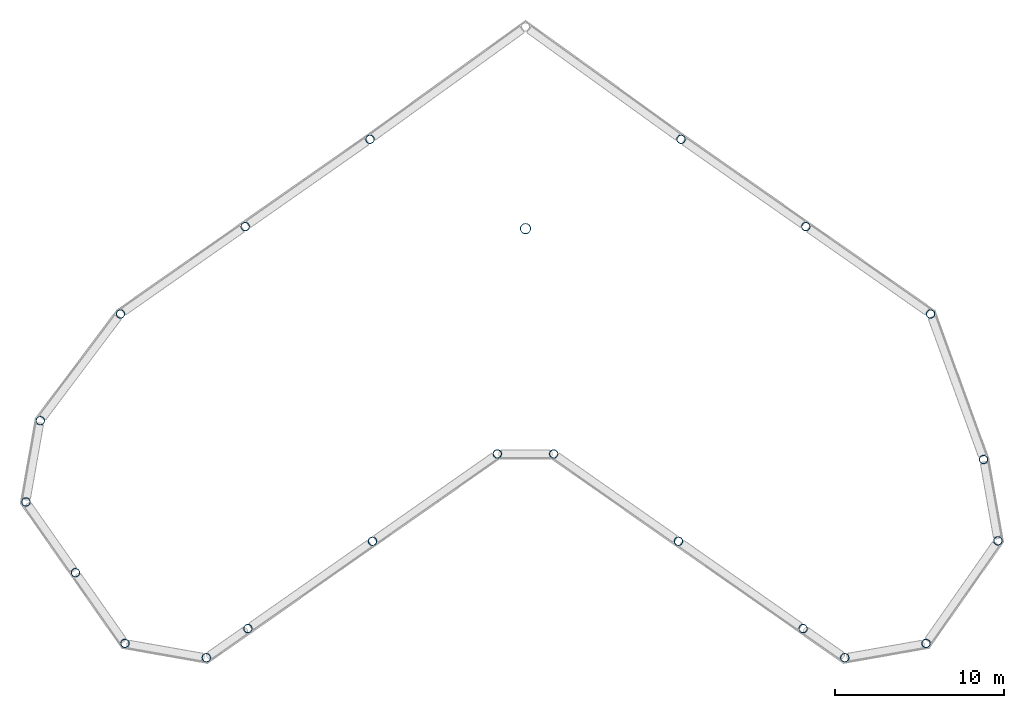
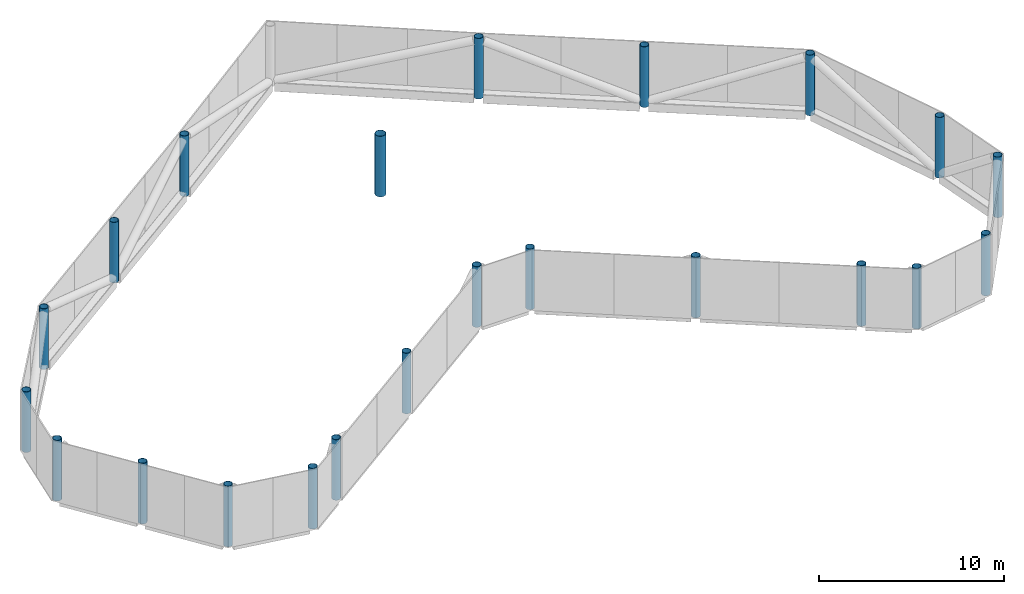
# One storey, part 1 of 4: 22 columns.
"""IFC4 building model written with IfcOpenShell, lengths in metres."""

from ifc_helpers import new_model, si_unit, direction, frame, origin, origin_with_axes, origin_2d, place, context, subcontext, project, spatial, hollow_circle, extrude, material, material_profile, profile_set, type_object, element, save


model = new_model("IFC4")

# Units and contexts
model_context = context("Model", 3, precision=1e-05, world=origin(), true_north=direction((0.0, 1.0)))
body_context = subcontext(model_context, "Body", "Model", "MODEL_VIEW")
ifc_project = project(units=[si_unit("LENGTHUNIT", "METRE"), si_unit("AREAUNIT", "SQUARE_METRE"), si_unit("VOLUMEUNIT", "CUBIC_METRE"), si_unit("PLANEANGLEUNIT", "RADIAN"), si_unit("MASSUNIT", "GRAM", prefix="KILO")], contexts=[model_context])

# Site, building, storey
site_placement = place(None, origin())
site = spatial("IfcSite", under=ifc_project, at=site_placement, CompositionType="ELEMENT")
building_placement = place(site_placement, origin())
building = spatial("IfcBuilding", under=site, at=building_placement, Name="Tel Ilan Convention Tower", CompositionType="ELEMENT")
storey_placement = place(building_placement, frame((0.0, 0.0, 330.800048828125)))
storey = spatial("IfcBuildingStorey", under=building, at=storey_placement, Name="L78", CompositionType="ELEMENT", Elevation=330.800048828125)

# Columns
ifc_material_1 = material(Name="Steel S355", Category="steel")
ifc_material_profile_1 = material_profile(ifc_material_1, hollow_circle(Radius=0.25390625, WallThickness=0.02490234375, at=origin_2d()), Name="CHS 508x25")
ifc_profile_set_1 = profile_set([ifc_material_profile_1], Name="Steel S355")
column_type_1 = type_object("IfcColumnType", Name="CROWN FRAME COLUMN CHS 508x25", PredefinedType="COLUMN", material=ifc_profile_set_1)
for number, where, z_axis, x_axis, name in (
    (1, (-18.866943359375, -25.35791015625, 0.0), (0.0, 0.0, 1.0), (1.0, 0.0, 0.0), "CROWN FRAME column"),
    (2, (-16.409912109375, -23.636962890625, 0.0), (0.0, 0.0, 1.0), (1.0, 0.0, 0.0), "CROWN FRAME column"),
    (3, (-9.0380859375, -18.47509765625, 0.0), (0.0, 0.0, 1.0), (1.0, 0.0, 0.0), "CROWN FRAME column"),
    (4, (-1.6650390625, -13.31298828125, 0.0), (0.0, 0.0, 1.0), (1.0, 0.0, 0.0), "CROWN FRAME column"),
    (5, (1.6650390625, -13.31298828125, 0.0), (0.0, 0.0, 1.0), (1.0, 0.0, 0.0), "CROWN FRAME column"),
    (6, (9.0380859375, -18.47509765625, 0.0), (0.0, 0.0, 1.0), (1.0, 0.0, 0.0), "CROWN FRAME column"),
    (7, (16.409912109375, -23.636962890625, 0.0), (0.0, 0.0, 1.0), (1.0, 0.0, 0.0), "CROWN FRAME column"),
    (8, (18.866943359375, -25.35791015625, 0.0), (0.0, 0.0, 1.0), (1.0, 0.0, 0.0), "CROWN FRAME column"),
    (9, (23.672119140625, -24.510986328125, 0.0), (0.0, 0.0, 1.0), (1.0, 0.0, 0.0), "CROWN FRAME column"),
    (10, (27.9169921875, -18.448974609375, 0.0), (0.0, 0.0, 1.0), (1.0, 0.0, 0.0), "CROWN FRAME column"),
    (11, (27.070068359375, -13.64404296875, 0.0), (0.0, 0.0, 1.0), (1.0, 0.0, 0.0), "CROWN FRAME column"),
    (12, (23.93701171875, -5.0419921875, 0.0), (0.0, 0.0, 1.0), (1.0, 0.0, 0.0), "CROWN FRAME column"),
    (13, (16.56494140625, 0.12109375, 0.0), (0.0, 0.0, 1.0), (1.0, 0.0, 0.0), "CROWN FRAME column"),
    (14, (9.193115234375, 5.282958984375, 0.0), (0.0, 0.0, 1.0), (1.0, 0.0, 0.0), "CROWN FRAME column"),
    (15, (-9.193115234375, 5.282958984375, 0.0), (0.0, 0.0, 1.0), (1.0, 0.0, 0.0), "CROWN FRAME column"),
    (16, (-16.56494140625, 0.12109375, 0.0), (0.0, 0.0, 1.0), (1.0, 0.0, 0.0), "CROWN FRAME column"),
    (17, (-23.93701171875, -5.0419921875, 0.0), (0.0, 0.0, 1.0), (1.0, 0.0, 0.0), "CROWN FRAME column"),
    (18, (-28.676025390625, -11.35009765625, 0.0), (0.0, 0.0, 1.0), (1.0, 0.0, 0.0), "CROWN FRAME column"),
    (19, (-29.52294921875, -16.155029296875, 0.0), (0.0, 0.0, 1.0), (1.0, 0.0, 0.0), "CROWN FRAME column"),
    (20, (-26.597900390625, -20.3330078125, 0.0), (0.0, 0.0, 1.0), (1.0, 0.0, 0.0), "CROWN FRAME column"),
    (21, (-23.672119140625, -24.510986328125, 0.0), (0.0, 0.0, 1.0), (1.0, 0.0, 0.0), "CROWN FRAME column"),
):
    element("IfcColumn", number, at=place(storey_placement, frame(where, z_axis=z_axis, x_axis=x_axis)), inside=storey, type_object=column_type_1, Name=name, PredefinedType="COLUMN", context=body_context, shape_type="SweptSolid", body=[
        extrude(hollow_circle(Radius=0.25390625, WallThickness=0.02490234375, at=origin_2d()), origin(), (0.0, 0.0, 1.0), 4.0),
    ])
ifc_material_2 = material(Name="Steel S355", Category="steel")
ifc_material_profile_2 = material_profile(ifc_material_2, hollow_circle(Radius=0.304931640625, WallThickness=0.02001953125, at=origin_2d()), Name="CHS 610x20")
ifc_profile_set_2 = profile_set([ifc_material_profile_2], Name="Steel S355")
column_type_2 = type_object("IfcColumnType", Name="CROWN FRAME MAST CHS 610x20", PredefinedType="COLUMN", material=ifc_profile_set_2)
column_placement = place(storey_placement, origin_with_axes())
element("IfcColumn", 22, at=column_placement, inside=storey, type_object=column_type_2, Name="CROWN FRAME mast", PredefinedType="COLUMN", context=body_context, shape_type="SweptSolid", body=[
    extrude(hollow_circle(Radius=0.304931640625, WallThickness=0.02001953125, at=origin_2d()), origin(), (0.0, 0.0, 1.0), 4.0),
])

save(model, "model.ifc")
